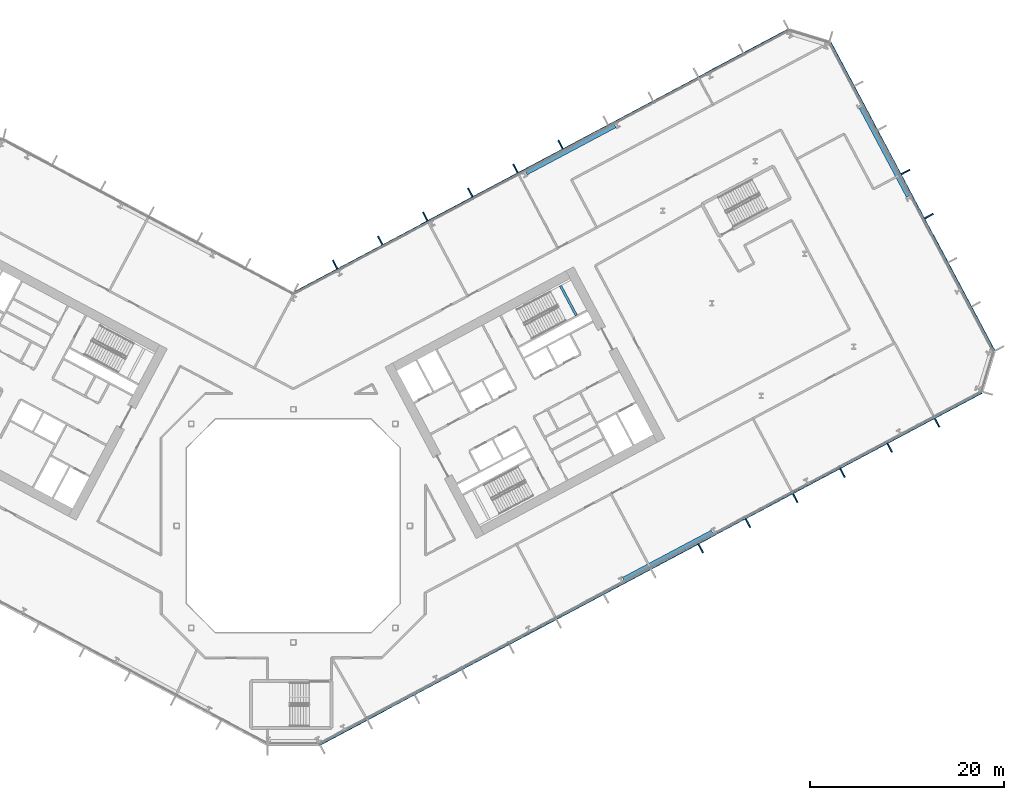
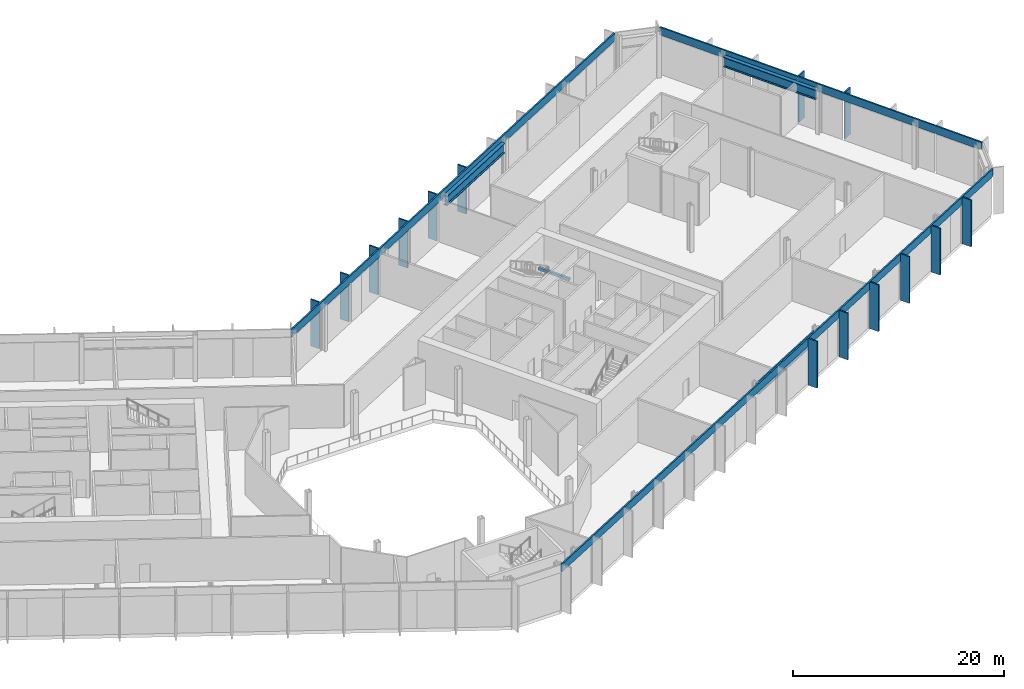
# One storey, part 7 of 30: 17 members, 4 beams, 3 elements without a shape of their own.
"""IFC4 building model written with IfcOpenShell, lengths in metres."""

from ifc_helpers import new_model, si_unit, direction, frame, origin, origin_2d, place, context, subcontext, project, spatial, rectangle, i_section, extrude, material, layer, layer_set, material_profile, profile_set, type_object, element, aggregate, save


model = new_model("IFC4")

# Units and contexts
model_context = context("Model", 3, precision=1e-05, world=origin(), true_north=direction((0.0, 1.0)))
body_context = subcontext(model_context, "Body", "Model", "MODEL_VIEW")
ifc_project = project(units=[si_unit("LENGTHUNIT", "METRE"), si_unit("AREAUNIT", "SQUARE_METRE"), si_unit("VOLUMEUNIT", "CUBIC_METRE"), si_unit("PLANEANGLEUNIT", "RADIAN"), si_unit("MASSUNIT", "GRAM", prefix="KILO")], contexts=[model_context])

# Site, building, storey
site_placement = place(None, origin())
site = spatial("IfcSite", under=ifc_project, at=site_placement, CompositionType="ELEMENT")
building_placement = place(site_placement, origin())
building = spatial("IfcBuilding", under=site, at=building_placement, Name="Cormorant Relay Tower", CompositionType="ELEMENT")
storey_placement = place(building_placement, frame((0.0, 0.0, 44.60009765625)))
storey = spatial("IfcBuildingStorey", under=building, at=storey_placement, Name="L08", CompositionType="ELEMENT", Elevation=44.60009765625)

# Curtain wall, members
ifc_material_1 = material(Name="Aluminium 6063-T6 anodised bronze", Category="aluminium")
ifc_layer = layer(ifc_material_1, 0.235107421875)
ifc_layer_set = layer_set([ifc_layer], Name="CW6 data hall curtain wall with mineral wool panels")
curtain_wall_type = type_object("IfcCurtainWallType", Name="CW6 data hall curtain wall with mineral wool panels", PredefinedType="NOTDEFINED", material=ifc_layer_set)
curtain_wall_1_placement = place(storey_placement, origin())
curtain_wall_1 = element("IfcCurtainWall", 1, at=curtain_wall_1_placement, inside=storey, type_object=curtain_wall_type, Name="CW6 curtain wall 2", PredefinedType="NOTDEFINED")
ifc_material_2 = material(Name="Aluminium 6063-T6 anodised bronze", Category="aluminium")
ifc_material_profile_1 = material_profile(ifc_material_2, rectangle(XDim=0.14990234375, YDim=1.0, at=origin_2d()), Name="AL 150x1000")
ifc_profile_set_1 = profile_set([ifc_material_profile_1], Name="Aluminium 6063-T6 anodised bronze")
member_type_1 = type_object("IfcMemberType", Name="CW6 bronze fin mullion 150 x 1000", PredefinedType="MULLION", material=ifc_profile_set_1)
member_1_placement = place(storey_placement, frame((41.92724609375, -2.3232421875, 0.0), z_axis=(0.0, 0.0, 1.0), x_axis=(0.882947592859, 0.469471562786, 0.0)))
member_1 = element("IfcMember", 2, at=member_1_placement, type_object=member_type_1, Name="CW6 fin 2.9", PredefinedType="MULLION", context=body_context, shape_type="SweptSolid", body=[
    extrude(rectangle(XDim=0.14990234375, YDim=1.0, at=origin_2d()), origin(), (0.0, 0.0, 1.0), 5.39990234375),
])
member_2_placement = place(storey_placement, frame((46.7939453125, 0.264404296875, 0.0), z_axis=(0.0, 0.0, 1.0), x_axis=(0.882947592859, 0.469471562786, 0.0)))
member_2 = element("IfcMember", 3, at=member_2_placement, type_object=member_type_1, Name="CW6 fin 2.10", PredefinedType="MULLION", context=body_context, shape_type="SweptSolid", body=[
    extrude(rectangle(XDim=0.14990234375, YDim=1.0, at=origin_2d()), origin(), (0.0, 0.0, 1.0), 5.39990234375),
])
member_3_placement = place(storey_placement, frame((51.66064453125, 2.85205078125, 0.0), z_axis=(0.0, 0.0, 1.0), x_axis=(0.882947592859, 0.469471562786, 0.0)))
member_3 = element("IfcMember", 4, at=member_3_placement, type_object=member_type_1, Name="CW6 fin 2.11", PredefinedType="MULLION", context=body_context, shape_type="SweptSolid", body=[
    extrude(rectangle(XDim=0.14990234375, YDim=1.0, at=origin_2d()), origin(), (0.0, 0.0, 1.0), 5.39990234375),
])
member_4_placement = place(storey_placement, frame((56.52734375, 5.439697265625, 0.0), z_axis=(0.0, 0.0, 1.0), x_axis=(0.882947592859, 0.469471562786, 0.0)))
member_4 = element("IfcMember", 5, at=member_4_placement, type_object=member_type_1, Name="CW6 fin 2.12", PredefinedType="MULLION", context=body_context, shape_type="SweptSolid", body=[
    extrude(rectangle(XDim=0.14990234375, YDim=1.0, at=origin_2d()), origin(), (0.0, 0.0, 1.0), 5.39990234375),
])
member_5_placement = place(storey_placement, frame((61.39404296875, 8.02734375, 0.0), z_axis=(0.0, 0.0, 1.0), x_axis=(0.882947592859, 0.469471562786, 0.0)))
member_5 = element("IfcMember", 6, at=member_5_placement, type_object=member_type_1, Name="CW6 fin 2.13", PredefinedType="MULLION", context=body_context, shape_type="SweptSolid", body=[
    extrude(rectangle(XDim=0.14990234375, YDim=1.0, at=origin_2d()), origin(), (0.0, 0.0, 1.0), 5.39990234375),
])
member_6_placement = place(storey_placement, frame((66.2607421875, 10.614990234375, 0.0), z_axis=(0.0, 0.0, 1.0), x_axis=(0.882947592859, 0.469471562786, 0.0)))
member_6 = element("IfcMember", 7, at=member_6_placement, type_object=member_type_1, Name="CW6 fin 2.14", PredefinedType="MULLION", context=body_context, shape_type="SweptSolid", body=[
    extrude(rectangle(XDim=0.14990234375, YDim=1.0, at=origin_2d()), origin(), (0.0, 0.0, 1.0), 5.39990234375),
])

curtain_wall_2_placement = place(storey_placement, origin())
curtain_wall_2 = element("IfcCurtainWall", 8, at=curtain_wall_2_placement, inside=storey, type_object=curtain_wall_type, Name="CW6 curtain wall 4", PredefinedType="NOTDEFINED")
member_7_placement = place(storey_placement, frame((65.428466796875, 31.876708984375, 0.0), z_axis=(0.0, 0.0, 1.0), x_axis=(-0.469471562786, 0.882947592859, 0.0)))
member_7 = element("IfcMember", 9, at=member_7_placement, type_object=member_type_1, Name="CW6 fin 4.4", PredefinedType="MULLION", context=body_context, shape_type="SweptSolid", body=[
    extrude(rectangle(XDim=0.14990234375, YDim=1.0, at=origin_2d()), origin(), (0.0, 0.0, 1.0), 5.39990234375),
])
member_8_placement = place(storey_placement, frame((63.013916015625, 36.41748046875, 0.0), z_axis=(0.0, 0.0, 1.0), x_axis=(-0.469471562786, 0.882947592859, 0.0)))
member_8 = element("IfcMember", 10, at=member_8_placement, type_object=member_type_1, Name="CW6 fin 4.5", PredefinedType="MULLION", context=body_context, shape_type="SweptSolid", body=[
    extrude(rectangle(XDim=0.14990234375, YDim=1.0, at=origin_2d()), origin(), (0.0, 0.0, 1.0), 5.39990234375),
])

curtain_wall_3_placement = place(storey_placement, origin())
curtain_wall_3 = element("IfcCurtainWall", 11, at=curtain_wall_3_placement, inside=storey, type_object=curtain_wall_type, Name="CW6 curtain wall 6", PredefinedType="NOTDEFINED")
member_9_placement = place(storey_placement, frame((27.50830078125, 39.242919921875, 0.0), z_axis=(0.0, 0.0, 1.0), x_axis=(-0.882947592859, -0.469471562786, 0.0)))
member_9 = element("IfcMember", 12, at=member_9_placement, type_object=member_type_1, Name="CW6 fin 6.6", PredefinedType="MULLION", context=body_context, shape_type="SweptSolid", body=[
    extrude(rectangle(XDim=0.14990234375, YDim=1.0, at=origin_2d()), origin(), (0.0, 0.0, 1.0), 5.39990234375),
])
member_10_placement = place(storey_placement, frame((22.8662109375, 36.7744140625, 0.0), z_axis=(0.0, 0.0, 1.0), x_axis=(-0.882947592859, -0.469471562786, 0.0)))
member_10 = element("IfcMember", 13, at=member_10_placement, type_object=member_type_1, Name="CW6 fin 6.7", PredefinedType="MULLION", context=body_context, shape_type="SweptSolid", body=[
    extrude(rectangle(XDim=0.14990234375, YDim=1.0, at=origin_2d()), origin(), (0.0, 0.0, 1.0), 5.39990234375),
])
member_11_placement = place(storey_placement, frame((18.223876953125, 34.30615234375, 0.0), z_axis=(0.0, 0.0, 1.0), x_axis=(-0.882947592859, -0.469471562786, 0.0)))
member_11 = element("IfcMember", 14, at=member_11_placement, type_object=member_type_1, Name="CW6 fin 6.8", PredefinedType="MULLION", context=body_context, shape_type="SweptSolid", body=[
    extrude(rectangle(XDim=0.14990234375, YDim=1.0, at=origin_2d()), origin(), (0.0, 0.0, 1.0), 5.39990234375),
])
member_12_placement = place(storey_placement, frame((13.58154296875, 31.837890625, 0.0), z_axis=(0.0, 0.0, 1.0), x_axis=(-0.882947592859, -0.469471562786, 0.0)))
member_12 = element("IfcMember", 15, at=member_12_placement, type_object=member_type_1, Name="CW6 fin 6.9", PredefinedType="MULLION", context=body_context, shape_type="SweptSolid", body=[
    extrude(rectangle(XDim=0.14990234375, YDim=1.0, at=origin_2d()), origin(), (0.0, 0.0, 1.0), 5.39990234375),
])
member_13_placement = place(storey_placement, frame((8.939453125, 29.36962890625, 0.0), z_axis=(0.0, 0.0, 1.0), x_axis=(-0.882947592859, -0.469471562786, 0.0)))
member_13 = element("IfcMember", 16, at=member_13_placement, type_object=member_type_1, Name="CW6 fin 6.10", PredefinedType="MULLION", context=body_context, shape_type="SweptSolid", body=[
    extrude(rectangle(XDim=0.14990234375, YDim=1.0, at=origin_2d()), origin(), (0.0, 0.0, 1.0), 5.39990234375),
])
member_14_placement = place(storey_placement, frame((4.297119140625, 26.9013671875, 0.0), z_axis=(0.0, 0.0, 1.0), x_axis=(-0.882947592859, -0.469471562786, 0.0)))
member_14 = element("IfcMember", 17, at=member_14_placement, type_object=member_type_1, Name="CW6 fin 6.11", PredefinedType="MULLION", context=body_context, shape_type="SweptSolid", body=[
    extrude(rectangle(XDim=0.14990234375, YDim=1.0, at=origin_2d()), origin(), (0.0, 0.0, 1.0), 5.39990234375),
])

# Member
ifc_material_3 = material(Name="Aluminium 6063-T6 anodised bronze", Category="aluminium")
ifc_material_profile_2 = material_profile(ifc_material_3, rectangle(XDim=0.159912109375, YDim=0.89990234375, at=origin_2d()), Name="AL 160x900")
ifc_profile_set_2 = profile_set([ifc_material_profile_2], Name="Aluminium 6063-T6 anodised bronze")
member_type_2 = type_object("IfcMemberType", Name="CW6 bronze transom 160 x 900", PredefinedType="USERDEFINED", material=ifc_profile_set_2)
member_15_placement = place(storey_placement, frame((2.7216796875, -22.512451171875, 4.949951171875), z_axis=(0.882946645884, 0.469473343783, 0.0), x_axis=(-0.469473343783, 0.882946645884, 0.0)))
member_15 = element("IfcMember", 18, at=member_15_placement, type_object=member_type_2, Name="CW6 transom 2", ObjectType="TRANSOM", PredefinedType="USERDEFINED", context=body_context, shape_type="SweptSolid", body=[
    extrude(rectangle(XDim=0.159912109375, YDim=0.89990234375, at=origin_2d()), origin(), (0.0, 0.0, 1.0), 77.165771484375),
])

aggregate(curtain_wall_1, [member_1, member_2, member_3, member_4, member_5, member_6, member_15])

member_16_placement = place(storey_placement, frame((72.15966796875, 17.981689453125, 4.949951171875), z_axis=(-0.469474517326, 0.882946021896, 0.0), x_axis=(-0.882946021896, -0.469474517326, 0.0)))
member_16 = element("IfcMember", 19, at=member_16_placement, type_object=member_type_2, Name="CW6 transom 4", ObjectType="TRANSOM", PredefinedType="USERDEFINED", context=body_context, shape_type="SweptSolid", body=[
    extrude(rectangle(XDim=0.159912109375, YDim=0.89990234375, at=origin_2d()), origin(), (0.0, 0.0, 1.0), 36.0),
])

aggregate(curtain_wall_2, [member_7, member_8, member_16])

member_17_placement = place(storey_placement, frame((50.99169921875, 51.072265625, 4.949951171875), z_axis=(-0.882948196078, -0.469470428295, 0.0), x_axis=(0.469470428295, -0.882948196078, 0.0)))
member_17 = element("IfcMember", 20, at=member_17_placement, type_object=member_type_2, Name="CW6 transom 6", ObjectType="TRANSOM", PredefinedType="USERDEFINED", context=body_context, shape_type="SweptSolid", body=[
    extrude(rectangle(XDim=0.159912109375, YDim=0.89990234375, at=origin_2d()), origin(), (0.0, 0.0, 1.0), 57.833984375),
])

aggregate(curtain_wall_3, [member_9, member_10, member_11, member_12, member_13, member_14, member_17])

# Beams
ifc_material_4 = material(Name="Steel ASTM A992 (Fy 345 MPa)", Category="steel")
ifc_material_profile_3 = material_profile(ifc_material_4, i_section(OverallWidth=0.408935546875, OverallDepth=1.137939453125, WebThickness=0.031005859375, FlangeThickness=0.05517578125, FilletRadius=0.02001953125, at=origin_2d()), Name="W1100x607")
ifc_profile_set_3 = profile_set([ifc_material_profile_3], Name="Steel ASTM A992 (Fy 345 MPa)")
beam_type_1 = type_object("IfcBeamType", Name="Spandrel W1100x607", PredefinedType="SPANDREL", material=ifc_profile_set_3)
for number, where, z_axis, x_axis, name in (
    (21, (33.9716796875, -5.4892578125, 4.380859375), (0.882947604656, 0.469471540599, 0.0), (-0.469471540599, 0.882947604656, 0.0), "Spandrel beam L08-002"),
    (22, (63.289306640625, 33.898681640625, 4.380859375), (-0.469471540599, 0.882947604656, 0.0), (-0.882947604656, -0.469471540599, 0.0), "Spandrel beam L08-004"),
):
    element("IfcBeam", number, at=place(storey_placement, frame(where, z_axis=z_axis, x_axis=x_axis)), inside=storey, type_object=beam_type_1, Name=name, PredefinedType="SPANDREL", context=body_context, shape_type="SweptSolid", body=[
        extrude(i_section(OverallWidth=0.408935546875, OverallDepth=1.137939453125, WebThickness=0.031005859375, FlangeThickness=0.05517578125, FilletRadius=0.02001953125, at=origin_2d()), origin(), (0.0, 0.0, 1.0), 10.36376953125),
    ])
beam_1_placement = place(storey_placement, frame((33.132080078125, 41.169189453125, 4.380859375), z_axis=(-0.882942412403, -0.469481305677, 0.0), x_axis=(0.469481305677, -0.882942412403, 0.0)))
element("IfcBeam", 23, at=beam_1_placement, inside=storey, type_object=beam_type_1, Name="Spandrel beam L08-006", PredefinedType="SPANDREL", context=body_context, shape_type="SweptSolid", body=[
    extrude(i_section(OverallWidth=0.408935546875, OverallDepth=1.137939453125, WebThickness=0.031005859375, FlangeThickness=0.05517578125, FilletRadius=0.02001953125, at=origin_2d()), origin(), (0.0, 0.0, 1.0), 10.363525390625),
])
ifc_material_5 = material(Name="Concrete 50 MPa", Category="concrete")
ifc_material_profile_4 = material_profile(ifc_material_5, rectangle(XDim=0.25, YDim=0.300048828125, at=origin_2d()), Name="RC 250x300")
ifc_profile_set_4 = profile_set([ifc_material_profile_4], Name="Concrete 50 MPa")
beam_type_2 = type_object("IfcBeamType", Name="Stair landing ledge beam 250x300", PredefinedType="BEAM", material=ifc_profile_set_4)
beam_2_placement = place(storey_placement, frame((29.1259765625, 21.6591796875, 2.349853515625), z_axis=(-0.469493252696, 0.882936059788, 0.0), x_axis=(-0.882936059788, -0.469493252696, 0.0)))
element("IfcBeam", 24, at=beam_2_placement, inside=storey, type_object=beam_type_2, Name="B2 landing ledge beam", PredefinedType="BEAM", context=body_context, shape_type="SweptSolid", body=[
    extrude(rectangle(XDim=0.25, YDim=0.300048828125, at=origin_2d()), origin(), (0.0, 0.0, 1.0), 3.44970703125),
])

save(model, "model.ifc")
